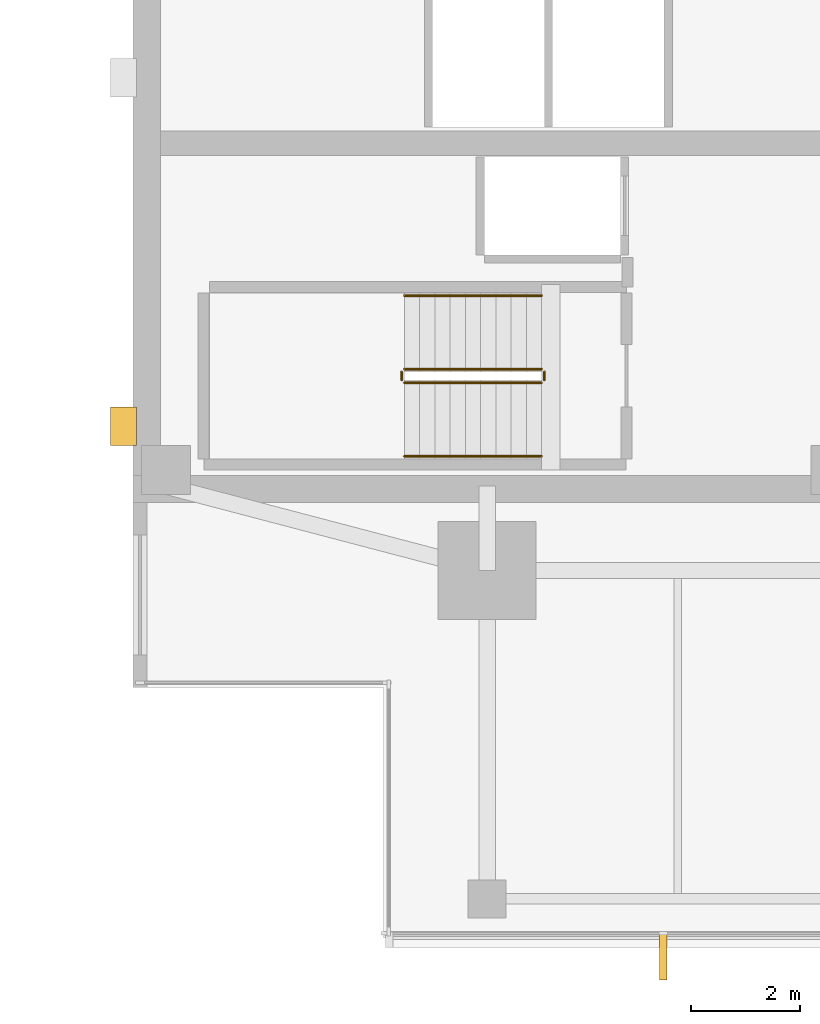
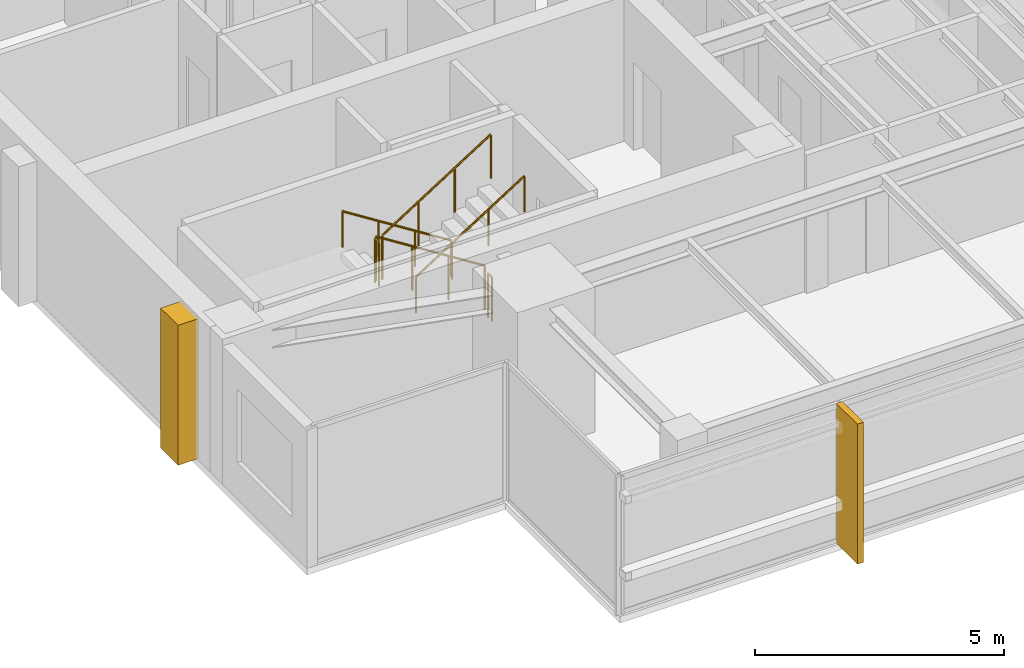
# One storey, part 11 of 14: 6 railings, 2 coverings.
"""IFC4 building model written with IfcOpenShell, lengths in metres."""

from ifc_helpers import new_model, si_unit, direction, frame, origin, origin_2d, place, context, subcontext, project, spatial, polyline, circle, outline, extrude, material, layer, layer_set, type_object, element, save


model = new_model("IFC4")

# Units and contexts
model_context = context("Model", 3, precision=1e-05, world=origin(), true_north=direction((0.0, 1.0)))
body_context = subcontext(model_context, "Body", "Model", "MODEL_VIEW")
ifc_project = project(units=[si_unit("LENGTHUNIT", "METRE"), si_unit("AREAUNIT", "SQUARE_METRE"), si_unit("VOLUMEUNIT", "CUBIC_METRE"), si_unit("PLANEANGLEUNIT", "RADIAN"), si_unit("MASSUNIT", "GRAM", prefix="KILO")], contexts=[model_context])

# Site, building, storey
site_placement = place(None, origin())
site = spatial("IfcSite", under=ifc_project, at=site_placement, CompositionType="ELEMENT")
building_placement = place(site_placement, origin())
building = spatial("IfcBuilding", under=site, at=building_placement, Name="Kinhvarn Gate Tower", CompositionType="ELEMENT")
storey_placement = place(building_placement, frame((0.0, 0.0, 281.199951171875)))
storey = spatial("IfcBuildingStorey", under=building, at=storey_placement, Name="L75", CompositionType="ELEMENT", Elevation=281.199951171875)

# Coverings
ifc_material_1 = material(Name="Fired architectural terracotta", Category="masonry")
ifc_layer_1 = layer(ifc_material_1, 0.139892578125)
ifc_layer_set_1 = layer_set([ifc_layer_1], Name="Fired architectural terracotta")
covering_type_1 = type_object("IfcCoveringType", Name="COV-FIN-850", PredefinedType="CLADDING", material=ifc_layer_set_1)
covering_1_placement = place(storey_placement, frame((0.0, 0.0, -0.02001953125)))
element("IfcCovering", 1, at=covering_1_placement, inside=storey, type_object=covering_type_1, Name="Vertical Terracotta Expressive Fin TFN-850 (L75)", PredefinedType="CLADDING", context=body_context, shape_type="SweptSolid", body=[
    extrude(outline(polyline([(14.163330078125, 6.080078125), (14.30322265625, 6.080078125), (14.30322265625, 5.22998046875), (14.163330078125, 5.22998046875), (14.163330078125, 6.080078125)])), origin(), (0.0, 0.0, 1.0), 3.43017578125),
])
ifc_material_2 = material(Name="Precast white architectural concrete C40/50", Category="concrete")
ifc_layer_2 = layer(ifc_material_2, 0.47998046875)
ifc_layer_set_2 = layer_set([ifc_layer_2], Name="Precast white architectural concrete C40/50")
covering_type_2 = type_object("IfcCoveringType", Name="COV-RIB-450", PredefinedType="CLADDING", material=ifc_layer_set_2)
covering_2_placement = place(storey_placement, frame((0.0, 0.0, -0.02001953125)))
element("IfcCovering", 2, at=covering_2_placement, inside=storey, type_object=covering_type_2, Name="West Core Sculptural Concrete Relief Rib CRB-450 (L75)", PredefinedType="CLADDING", context=body_context, shape_type="SweptSolid", body=[
    extrude(outline(polyline([(4.080078125, 15.050048828125), (4.56005859375, 15.050048828125), (4.56005859375, 15.75), (4.080078125, 15.75), (4.080078125, 15.050048828125)])), origin(), (0.0, 0.0, 1.0), 3.43017578125),
])

# Railings
ifc_material_3 = material(Name="Steel S355", Category="steel")
railing_type_1 = type_object("IfcRailingType", Name="RL-ST-GRD", PredefinedType="BALUSTRADE", material=ifc_material_3)
railing_1_placement = place(storey_placement, frame((12.0, 16.449951171875, 0.177490234375)))
element("IfcRailing", 3, at=railing_1_placement, inside=storey, type_object=railing_type_1, Name="L75 ST1 stair guard 1", PredefinedType="BALUSTRADE", context=body_context, shape_type="SweptSolid", body=[
    extrude(circle(Radius=0.02392578125, at=origin_2d()), frame((0.0, 0.0, 1.076171875), z_axis=(-0.84456994832, 0.0, 0.535445237532), x_axis=(0.0, -1.0, 0.0)), (0.0, 0.0, 1.0), 2.98388671875),
    extrude(circle(Radius=0.02099609375, at=origin_2d()), origin(), (0.0, 0.0, 1.0), 1.052001953125),
    extrude(circle(Radius=0.02099609375, at=origin_2d()), frame((-0.840087890625, 0.0, 0.532470703125)), (0.0, 0.0, 1.0), 1.052001953125),
    extrude(circle(Radius=0.02099609375, at=origin_2d()), frame((-1.679931640625, 0.0, 1.065185546875)), (0.0, 0.0, 1.0), 1.052001953125),
    extrude(circle(Radius=0.02099609375, at=origin_2d()), frame((-2.52001953125, 0.0, 1.59765625)), (0.0, 0.0, 1.0), 1.052001953125),
])
railing_2_placement = place(storey_placement, frame((9.429931640625, 16.39990234375, 1.775146484375)))
element("IfcRailing", 4, at=railing_2_placement, inside=storey, type_object=railing_type_1, Name="L75 ST1 stair guard 2", PredefinedType="BALUSTRADE", context=body_context, shape_type="SweptSolid", body=[
    extrude(circle(Radius=0.02392578125, at=origin_2d()), frame((0.0, 0.0, 1.076171875), z_axis=(0.0, -1.0, 0.0), x_axis=(1.0, 0.0, 0.0)), (0.0, 0.0, 1.0), 0.14990234375),
    extrude(circle(Radius=0.02099609375, at=origin_2d()), origin(), (0.0, 0.0, 1.0), 1.052001953125),
    extrude(circle(Radius=0.02099609375, at=origin_2d()), frame((0.0, -0.14990234375, 0.0)), (0.0, 0.0, 1.0), 1.052001953125),
])
railing_3_placement = place(storey_placement, frame((9.47998046875, 16.199951171875, 1.95263671875)))
element("IfcRailing", 5, at=railing_3_placement, inside=storey, type_object=railing_type_1, Name="L75 ST1 stair guard 3", PredefinedType="BALUSTRADE", context=body_context, shape_type="SweptSolid", body=[
    extrude(circle(Radius=0.02392578125, at=origin_2d()), frame((0.0, 0.0, 1.076171875), z_axis=(0.84460694969, 0.0, 0.535386869969), x_axis=(0.0, 1.0, 0.0)), (0.0, 0.0, 1.0), 2.983642578125),
    extrude(circle(Radius=0.02099609375, at=origin_2d()), origin(), (0.0, 0.0, 1.0), 1.052001953125),
    extrude(circle(Radius=0.02099609375, at=origin_2d()), frame((0.840087890625, 0.0, 0.532470703125)), (0.0, 0.0, 1.0), 1.052001953125),
    extrude(circle(Radius=0.02099609375, at=origin_2d()), frame((1.679931640625, 0.0, 1.06494140625)), (0.0, 0.0, 1.0), 1.052001953125),
    extrude(circle(Radius=0.02099609375, at=origin_2d()), frame((2.52001953125, 0.0, 1.597412109375)), (0.0, 0.0, 1.0), 1.052001953125),
])
railing_4_placement = place(storey_placement, frame((12.050048828125, 16.39990234375, 0.0)))
element("IfcRailing", 6, at=railing_4_placement, inside=storey, type_object=railing_type_1, Name="L75 ST1 stair guard 4", PredefinedType="BALUSTRADE", context=body_context, shape_type="SweptSolid", body=[
    extrude(circle(Radius=0.02392578125, at=origin_2d()), frame((0.0, 0.0, 1.076171875), z_axis=(0.0, -1.0, 0.0), x_axis=(1.0, 0.0, 0.0)), (0.0, 0.0, 1.0), 0.14990234375),
    extrude(circle(Radius=0.02099609375, at=origin_2d()), origin(), (0.0, 0.0, 1.0), 1.052001953125),
    extrude(circle(Radius=0.02099609375, at=origin_2d()), frame((0.0, -0.14990234375, 0.0)), (0.0, 0.0, 1.0), 1.052001953125),
])
railing_type_2 = type_object("IfcRailingType", Name="RL-ST-HND", PredefinedType="HANDRAIL", material=ifc_material_3)
railing_5_placement = place(storey_placement, frame((12.0, 17.800048828125, 0.177490234375)))
element("IfcRailing", 7, at=railing_5_placement, inside=storey, type_object=railing_type_2, Name="L75 ST1 stair handrail 1", PredefinedType="HANDRAIL", context=body_context, shape_type="SweptSolid", body=[
    extrude(circle(Radius=0.02392578125, at=origin_2d()), frame((0.0, 0.0, 0.8759765625), z_axis=(-0.84456994832, 0.0, 0.535445237532), x_axis=(0.0, -1.0, 0.0)), (0.0, 0.0, 1.0), 2.98388671875),
    extrude(circle(Radius=0.02099609375, at=origin_2d()), origin(), (0.0, 0.0, 1.0), 0.851806640625),
    extrude(circle(Radius=0.02099609375, at=origin_2d()), frame((-0.840087890625, 0.0, 0.532470703125)), (0.0, 0.0, 1.0), 0.851806640625),
    extrude(circle(Radius=0.02099609375, at=origin_2d()), frame((-1.679931640625, 0.0, 1.065185546875)), (0.0, 0.0, 1.0), 0.851806640625),
    extrude(circle(Radius=0.02099609375, at=origin_2d()), frame((-2.52001953125, 0.0, 1.59765625)), (0.0, 0.0, 1.0), 0.851806640625),
])
railing_6_placement = place(storey_placement, frame((9.47998046875, 14.85009765625, 1.95263671875)))
element("IfcRailing", 8, at=railing_6_placement, inside=storey, type_object=railing_type_2, Name="L75 ST1 stair handrail 2", PredefinedType="HANDRAIL", context=body_context, shape_type="SweptSolid", body=[
    extrude(circle(Radius=0.02392578125, at=origin_2d()), frame((0.0, 0.0, 0.8759765625), z_axis=(0.84460694969, 0.0, 0.535386869969), x_axis=(0.0, 1.0, 0.0)), (0.0, 0.0, 1.0), 2.983642578125),
    extrude(circle(Radius=0.02099609375, at=origin_2d()), origin(), (0.0, 0.0, 1.0), 0.851806640625),
    extrude(circle(Radius=0.02099609375, at=origin_2d()), frame((0.840087890625, 0.0, 0.532470703125)), (0.0, 0.0, 1.0), 0.851806640625),
    extrude(circle(Radius=0.02099609375, at=origin_2d()), frame((1.679931640625, 0.0, 1.06494140625)), (0.0, 0.0, 1.0), 0.851806640625),
    extrude(circle(Radius=0.02099609375, at=origin_2d()), frame((2.52001953125, 0.0, 1.597412109375)), (0.0, 0.0, 1.0), 0.851806640625),
])

save(model, "model.ifc")
